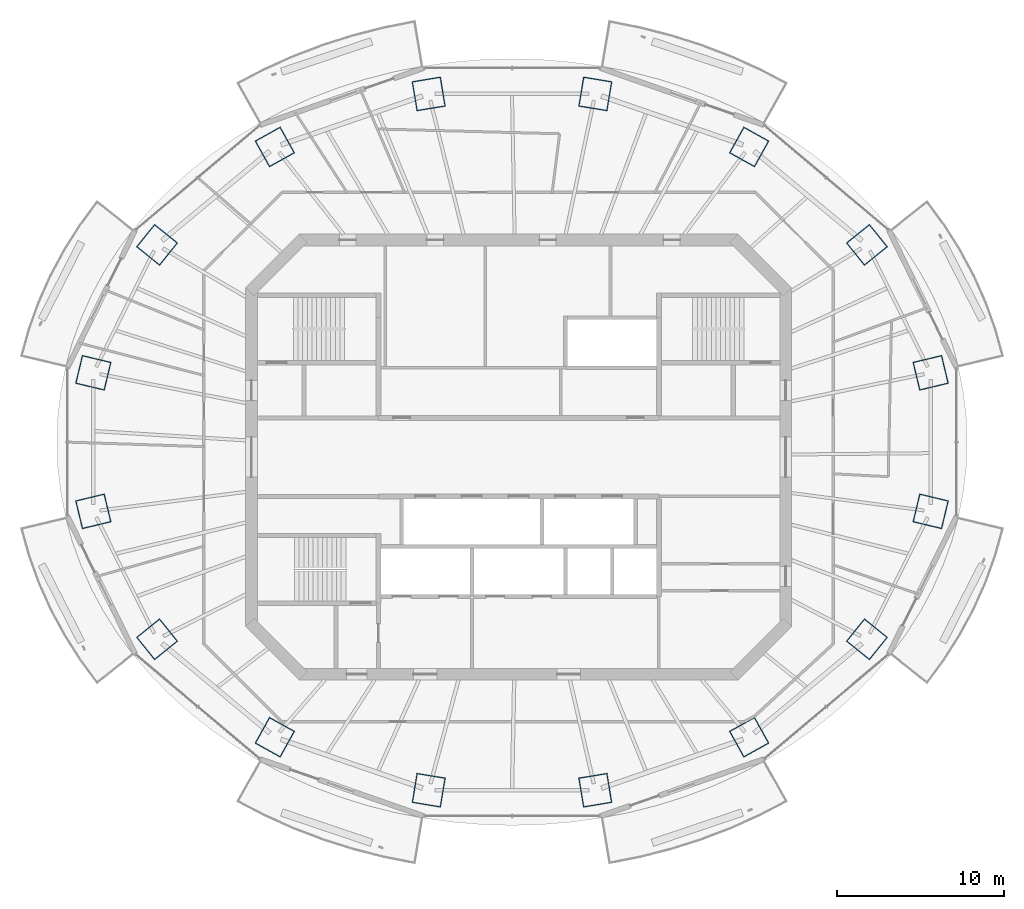
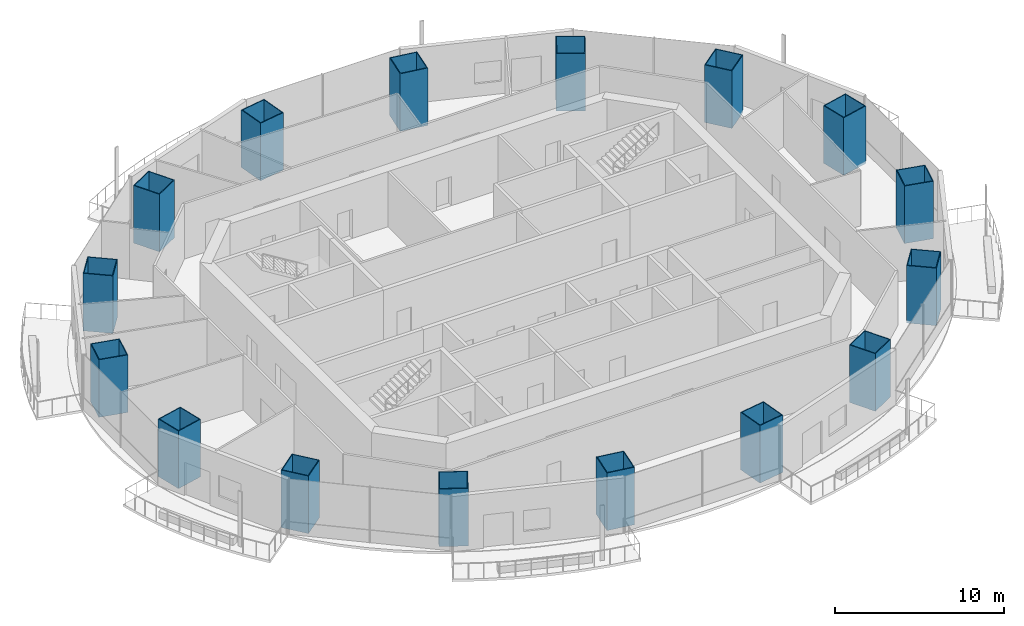
# One storey, part 1 of 16: 16 columns.
"""IFC4 building model written with IfcOpenShell, lengths in metres."""

from ifc_helpers import new_model, si_unit, direction, frame, origin, origin_2d, place, context, subcontext, project, spatial, rectangle, hollow_rectangle, extrude, material, material_profile, profile_set, type_object, element, save


model = new_model("IFC4")

# Units and contexts
model_context = context("Model", 3, precision=1e-05, world=origin(), true_north=direction((0.0, 1.0)))
body_context = subcontext(model_context, "Body", "Model", "MODEL_VIEW")
ifc_project = project(units=[si_unit("LENGTHUNIT", "METRE"), si_unit("AREAUNIT", "SQUARE_METRE"), si_unit("VOLUMEUNIT", "CUBIC_METRE"), si_unit("PLANEANGLEUNIT", "RADIAN"), si_unit("MASSUNIT", "GRAM", prefix="KILO")], contexts=[model_context])

# Site, building, storey
site_placement = place(None, origin())
site = spatial("IfcSite", under=ifc_project, at=site_placement, CompositionType="ELEMENT")
building_placement = place(site_placement, origin())
building = spatial("IfcBuilding", under=site, at=building_placement, Name="Marenthal Gate Tower", CompositionType="ELEMENT")
storey_placement = place(building_placement, frame((0.0, 0.0, 334.300048828125)))
storey = spatial("IfcBuildingStorey", under=building, at=storey_placement, Name="L75", CompositionType="ELEMENT", Elevation=334.300048828125)

# Columns
ifc_material_1 = material(Name="Steel S460", Category="steel")
ifc_material_profile_1 = material_profile(ifc_material_1, hollow_rectangle(XDim=1.75, YDim=1.800048828125, WallThickness=0.054931640625, at=origin_2d()), Name="CFT BOX 1800X1750X55")
ifc_material_2 = material(Name="Concrete 70 MPa", Category="concrete")
ifc_material_profile_2 = material_profile(ifc_material_2, rectangle(XDim=1.639892578125, YDim=1.68994140625, at=origin_2d()), Name="CFT BOX 1800X1750X55 INFILL")
ifc_profile_set = profile_set([ifc_material_profile_1, ifc_material_profile_2], Name="Steel S460 shell, Concrete 70 MPa infill")
column_type = type_object("IfcColumnType", Name="CFT BOX 1800X1750X55", PredefinedType="COLUMN", material=ifc_profile_set)
for number, where, z_axis, x_axis, name in (
    (1, (24.677734375, 5.048095703125, -0.179931640625), (0.0, 0.0, 1.0), (0.232642553419, -0.97256230769, 0.0), "COL-L75-01"),
    (2, (20.85986328125, 12.71240234375, -0.179931640625), (0.0, 0.0, 1.0), (0.626371189031, -0.779524940943, 0.0), "COL-L75-02"),
    (3, (13.805419921875, 18.57861328125, -0.179931640625), (0.0, 0.0, 1.0), (0.874131033778, -0.485690164391, 0.0), "COL-L75-03"),
    (4, (4.58837890625, 21.75341796875, -0.179931640625), (0.0, 0.0, 1.0), (0.986594956596, -0.16318820919, 0.0), "COL-L75-04"),
    (5, (-5.38818359375, 21.75341796875, -0.179931640625), (0.0, 0.0, 1.0), (0.986594956596, 0.16318820919, 0.0), "COL-L75-05"),
    (6, (-14.60546875, 18.57861328125, -0.179931640625), (0.0, 0.0, 1.0), (0.874131033778, 0.485690164391, 0.0), "COL-L75-06"),
    (7, (-21.659912109375, 12.71240234375, -0.179931640625), (0.0, 0.0, 1.0), (0.626371189031, 0.779524940943, 0.0), "COL-L75-07"),
    (8, (-25.477783203125, 5.048095703125, -0.179931640625), (0.0, 0.0, 1.0), (0.232642553419, 0.97256230769, 0.0), "COL-L75-08"),
    (9, (-25.477783203125, -3.248046875, -0.179931640625), (0.0, 0.0, 1.0), (-0.232642553419, 0.97256230769, 0.0), "COL-L75-09"),
    (10, (-21.659912109375, -10.91259765625, -0.179931640625), (0.0, 0.0, 1.0), (-0.626371189031, 0.779524940943, 0.0), "COL-L75-10"),
    (11, (-14.60546875, -16.77880859375, -0.179931640625), (0.0, 0.0, 1.0), (-0.874131033778, 0.485690164391, 0.0), "COL-L75-11"),
    (12, (-5.38818359375, -19.95361328125, -0.179931640625), (0.0, 0.0, 1.0), (-0.986594956596, 0.16318820919, 0.0), "COL-L75-12"),
    (13, (4.58837890625, -19.95361328125, -0.179931640625), (0.0, 0.0, 1.0), (-0.986594956596, -0.16318820919, 0.0), "COL-L75-13"),
    (14, (13.805419921875, -16.77880859375, -0.179931640625), (0.0, 0.0, 1.0), (-0.874131033778, -0.485690164391, 0.0), "COL-L75-14"),
    (15, (20.85986328125, -10.91259765625, -0.179931640625), (0.0, 0.0, 1.0), (-0.626371189031, -0.779524940943, 0.0), "COL-L75-15"),
    (16, (24.677734375, -3.248046875, -0.179931640625), (0.0, 0.0, 1.0), (-0.232642553419, -0.97256230769, 0.0), "COL-L75-16"),
):
    element("IfcColumn", number, at=place(storey_placement, frame(where, z_axis=z_axis, x_axis=x_axis)), inside=storey, type_object=column_type, Name=name, PredefinedType="COLUMN", context=body_context, shape_type="SweptSolid", body=[
        extrude(hollow_rectangle(XDim=1.75, YDim=1.800048828125, WallThickness=0.054931640625, at=origin_2d()), origin(), (0.0, 0.0, 1.0), 4.14990234375),
    ])

save(model, "model.ifc")
